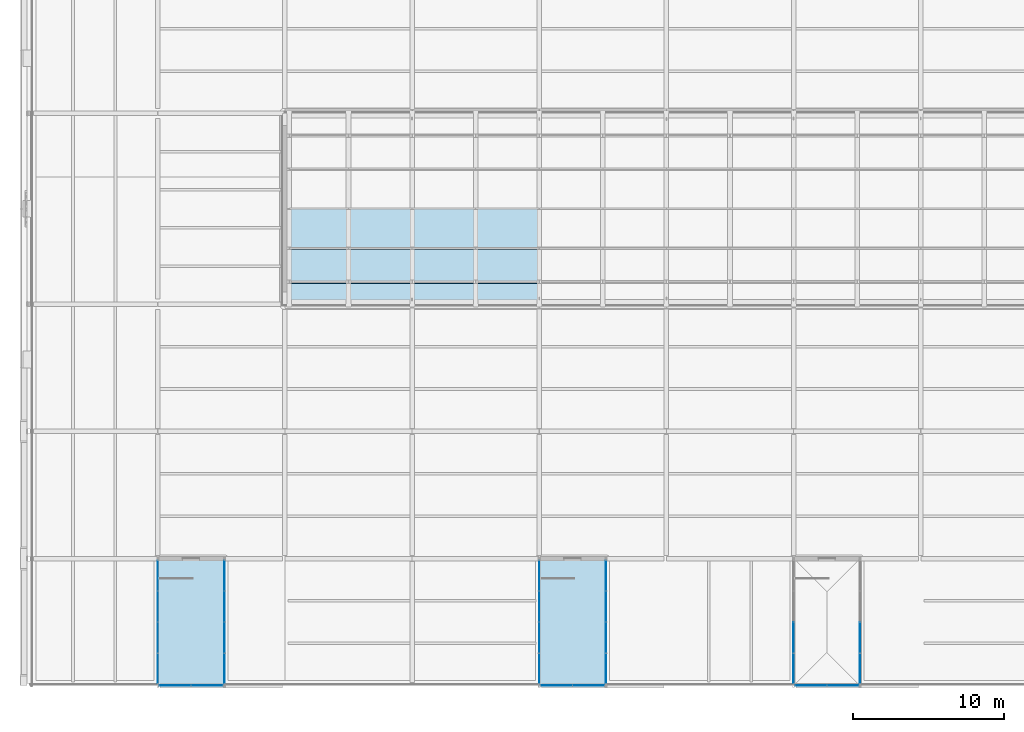
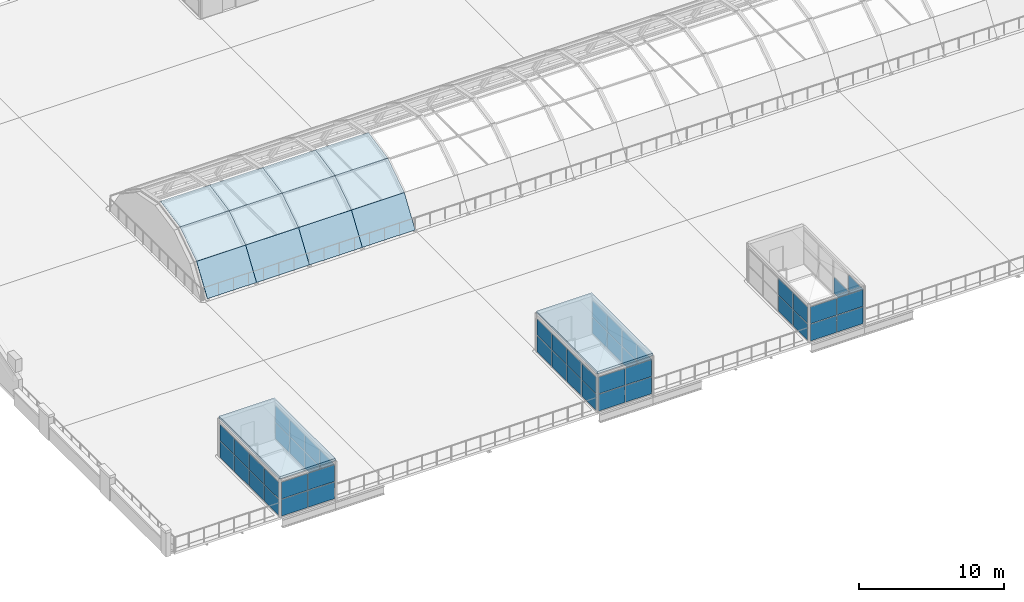
# One storey, part 33 of 58: 63 plates, 2 slabs, 9 elements without a shape of their own.
"""IFC4 building model written with IfcOpenShell, lengths in metres."""

from ifc_helpers import new_model, si_unit, direction, frame, origin, origin_2d, place, context, subcontext, project, spatial, polyline, rectangle, outline, extrude, material, layer, layer_set, type_object, element, aggregate, save


model = new_model("IFC4")

# Units and contexts
model_context = context("Model", 3, precision=1e-05, world=origin(), true_north=direction((0.0, 1.0)))
body_context = subcontext(model_context, "Body", "Model", "MODEL_VIEW")
ifc_project = project(units=[si_unit("LENGTHUNIT", "METRE"), si_unit("AREAUNIT", "SQUARE_METRE"), si_unit("VOLUMEUNIT", "CUBIC_METRE"), si_unit("PLANEANGLEUNIT", "RADIAN"), si_unit("MASSUNIT", "GRAM", prefix="KILO")], contexts=[model_context])

# Site, building, storey
site_placement = place(None, origin())
site = spatial("IfcSite", under=ifc_project, at=site_placement, CompositionType="ELEMENT")
building_placement = place(site_placement, origin())
building = spatial("IfcBuilding", under=site, at=building_placement, Name="Galleria Vessillo Department Store", CompositionType="ELEMENT")
storey_placement = place(building_placement, frame((0.0, 0.0, 31.199951171875)))
storey = spatial("IfcBuildingStorey", under=building, at=storey_placement, Name="L06", CompositionType="ELEMENT", Elevation=31.199951171875)

# Curtain wall, plates
ifc_material_1 = material(Name="Aluminium and glass curtain wall", Category="aluminium")
ifc_layer_1 = layer(ifc_material_1, 0.10009765625)
ifc_layer_set_1 = layer_set([ifc_layer_1], Name="Aluminium and glass curtain wall")
curtain_wall_type = type_object("IfcCurtainWallType", Name="Pavilion curtain wall CW5 2100 module", PredefinedType="NOTDEFINED", material=ifc_layer_set_1)
curtain_wall_1_placement = place(storey_placement, origin())
curtain_wall_1 = element("IfcCurtainWall", 1, at=curtain_wall_1_placement, inside=storey, type_object=curtain_wall_type, Name="Pavilion curtain wall CW5 2100 module PV-ST1-A", PredefinedType="NOTDEFINED")
ifc_material_2 = material(Name="Glass laminated 44.2 low-e", Category="glass")
ifc_layer_2 = layer(ifc_material_2, 0.028076171875)
ifc_layer_set_2 = layer_set([ifc_layer_2], Name="Glass laminated 44.2 low-e")
plate_type_1 = type_object("IfcPlateType", Name="Laminated glass panel 28 mm", PredefinedType="CURTAIN_PANEL", material=ifc_layer_set_2)
plate_1_placement = place(storey_placement, frame((8.39990234375, 1.137451171875, 0.0498046875), z_axis=(0.0, 0.0, 1.0), x_axis=(0.0, 1.0, 0.0)))
plate_1 = element("IfcPlate", 2, at=plate_1_placement, type_object=plate_type_1, Name="CW5 panel 1.1", PredefinedType="CURTAIN_PANEL", context=body_context, shape_type="SweptSolid", body=[
    extrude(rectangle(XDim=1.97509765625, YDim=0.028076171875, at=origin_2d()), origin(), (0.0, 0.0, 1.0), 1.360107421875),
])
plate_2_placement = place(storey_placement, frame((8.39990234375, 1.137451171875, 1.4599609375), z_axis=(0.0, 0.0, 1.0), x_axis=(0.0, 1.0, 0.0)))
plate_2 = element("IfcPlate", 3, at=plate_2_placement, type_object=plate_type_1, Name="CW5 panel 1.2", PredefinedType="CURTAIN_PANEL", context=body_context, shape_type="SweptSolid", body=[
    extrude(rectangle(XDim=1.97509765625, YDim=0.028076171875, at=origin_2d()), origin(), (0.0, 0.0, 1.0), 1.360107421875),
])
plate_3_placement = place(storey_placement, frame((8.39990234375, 3.175048828125, 0.0498046875), z_axis=(0.0, 0.0, 1.0), x_axis=(0.0, 1.0, 0.0)))
plate_3 = element("IfcPlate", 4, at=plate_3_placement, type_object=plate_type_1, Name="CW5 panel 2.1", PredefinedType="CURTAIN_PANEL", context=body_context, shape_type="SweptSolid", body=[
    extrude(rectangle(XDim=2.0, YDim=0.028076171875, at=origin_2d()), origin(), (0.0, 0.0, 1.0), 1.360107421875),
])
plate_4_placement = place(storey_placement, frame((8.39990234375, 3.175048828125, 1.4599609375), z_axis=(0.0, 0.0, 1.0), x_axis=(0.0, 1.0, 0.0)))
plate_4 = element("IfcPlate", 5, at=plate_4_placement, type_object=plate_type_1, Name="CW5 panel 2.2", PredefinedType="CURTAIN_PANEL", context=body_context, shape_type="SweptSolid", body=[
    extrude(rectangle(XDim=2.0, YDim=0.028076171875, at=origin_2d()), origin(), (0.0, 0.0, 1.0), 1.360107421875),
])
plate_5_placement = place(storey_placement, frame((8.39990234375, 5.224853515625, 0.0498046875), z_axis=(0.0, 0.0, 1.0), x_axis=(0.0, 1.0, 0.0)))
plate_5 = element("IfcPlate", 6, at=plate_5_placement, type_object=plate_type_1, Name="CW5 panel 3.1", PredefinedType="CURTAIN_PANEL", context=body_context, shape_type="SweptSolid", body=[
    extrude(rectangle(XDim=2.0, YDim=0.028076171875, at=origin_2d()), origin(), (0.0, 0.0, 1.0), 1.360107421875),
])
plate_6_placement = place(storey_placement, frame((8.39990234375, 5.224853515625, 1.4599609375), z_axis=(0.0, 0.0, 1.0), x_axis=(0.0, 1.0, 0.0)))
plate_6 = element("IfcPlate", 7, at=plate_6_placement, type_object=plate_type_1, Name="CW5 panel 3.2", PredefinedType="CURTAIN_PANEL", context=body_context, shape_type="SweptSolid", body=[
    extrude(rectangle(XDim=2.0, YDim=0.028076171875, at=origin_2d()), origin(), (0.0, 0.0, 1.0), 1.360107421875),
])
plate_7_placement = place(storey_placement, frame((8.39990234375, 7.262451171875, 0.0498046875), z_axis=(0.0, 0.0, 1.0), x_axis=(0.0, 1.0, 0.0)))
plate_7 = element("IfcPlate", 8, at=plate_7_placement, type_object=plate_type_1, Name="CW5 panel 4.1", PredefinedType="CURTAIN_PANEL", context=body_context, shape_type="SweptSolid", body=[
    extrude(rectangle(XDim=1.97509765625, YDim=0.028076171875, at=origin_2d()), origin(), (0.0, 0.0, 1.0), 1.360107421875),
])
plate_8_placement = place(storey_placement, frame((8.39990234375, 7.262451171875, 1.4599609375), z_axis=(0.0, 0.0, 1.0), x_axis=(0.0, 1.0, 0.0)))
plate_8 = element("IfcPlate", 9, at=plate_8_placement, type_object=plate_type_1, Name="CW5 panel 4.2", PredefinedType="CURTAIN_PANEL", context=body_context, shape_type="SweptSolid", body=[
    extrude(rectangle(XDim=1.97509765625, YDim=0.028076171875, at=origin_2d()), origin(), (0.0, 0.0, 1.0), 1.360107421875),
])
aggregate(curtain_wall_1, [plate_1, plate_2, plate_3, plate_4, plate_5, plate_6, plate_7, plate_8])

curtain_wall_2_placement = place(storey_placement, origin())
curtain_wall_2 = element("IfcCurtainWall", 10, at=curtain_wall_2_placement, inside=storey, type_object=curtain_wall_type, Name="Pavilion curtain wall CW5 2100 module PV-ST1-B", PredefinedType="NOTDEFINED")
plate_9_placement = place(storey_placement, frame((12.800048828125, 1.137451171875, 0.0498046875), z_axis=(0.0, 0.0, 1.0), x_axis=(0.0, 1.0, 0.0)))
plate_9 = element("IfcPlate", 11, at=plate_9_placement, type_object=plate_type_1, Name="CW5 panel 1.1", PredefinedType="CURTAIN_PANEL", context=body_context, shape_type="SweptSolid", body=[
    extrude(rectangle(XDim=1.97509765625, YDim=0.028076171875, at=origin_2d()), origin(), (0.0, 0.0, 1.0), 1.360107421875),
])
plate_10_placement = place(storey_placement, frame((12.800048828125, 1.137451171875, 1.4599609375), z_axis=(0.0, 0.0, 1.0), x_axis=(0.0, 1.0, 0.0)))
plate_10 = element("IfcPlate", 12, at=plate_10_placement, type_object=plate_type_1, Name="CW5 panel 1.2", PredefinedType="CURTAIN_PANEL", context=body_context, shape_type="SweptSolid", body=[
    extrude(rectangle(XDim=1.97509765625, YDim=0.028076171875, at=origin_2d()), origin(), (0.0, 0.0, 1.0), 1.360107421875),
])
plate_11_placement = place(storey_placement, frame((12.800048828125, 3.175048828125, 0.0498046875), z_axis=(0.0, 0.0, 1.0), x_axis=(0.0, 1.0, 0.0)))
plate_11 = element("IfcPlate", 13, at=plate_11_placement, type_object=plate_type_1, Name="CW5 panel 2.1", PredefinedType="CURTAIN_PANEL", context=body_context, shape_type="SweptSolid", body=[
    extrude(rectangle(XDim=2.0, YDim=0.028076171875, at=origin_2d()), origin(), (0.0, 0.0, 1.0), 1.360107421875),
])
plate_12_placement = place(storey_placement, frame((12.800048828125, 3.175048828125, 1.4599609375), z_axis=(0.0, 0.0, 1.0), x_axis=(0.0, 1.0, 0.0)))
plate_12 = element("IfcPlate", 14, at=plate_12_placement, type_object=plate_type_1, Name="CW5 panel 2.2", PredefinedType="CURTAIN_PANEL", context=body_context, shape_type="SweptSolid", body=[
    extrude(rectangle(XDim=2.0, YDim=0.028076171875, at=origin_2d()), origin(), (0.0, 0.0, 1.0), 1.360107421875),
])
plate_13_placement = place(storey_placement, frame((12.800048828125, 5.224853515625, 0.0498046875), z_axis=(0.0, 0.0, 1.0), x_axis=(0.0, 1.0, 0.0)))
plate_13 = element("IfcPlate", 15, at=plate_13_placement, type_object=plate_type_1, Name="CW5 panel 3.1", PredefinedType="CURTAIN_PANEL", context=body_context, shape_type="SweptSolid", body=[
    extrude(rectangle(XDim=2.0, YDim=0.028076171875, at=origin_2d()), origin(), (0.0, 0.0, 1.0), 1.360107421875),
])
plate_14_placement = place(storey_placement, frame((12.800048828125, 5.224853515625, 1.4599609375), z_axis=(0.0, 0.0, 1.0), x_axis=(0.0, 1.0, 0.0)))
plate_14 = element("IfcPlate", 16, at=plate_14_placement, type_object=plate_type_1, Name="CW5 panel 3.2", PredefinedType="CURTAIN_PANEL", context=body_context, shape_type="SweptSolid", body=[
    extrude(rectangle(XDim=2.0, YDim=0.028076171875, at=origin_2d()), origin(), (0.0, 0.0, 1.0), 1.360107421875),
])
plate_15_placement = place(storey_placement, frame((12.800048828125, 7.262451171875, 0.0498046875), z_axis=(0.0, 0.0, 1.0), x_axis=(0.0, 1.0, 0.0)))
plate_15 = element("IfcPlate", 17, at=plate_15_placement, type_object=plate_type_1, Name="CW5 panel 4.1", PredefinedType="CURTAIN_PANEL", context=body_context, shape_type="SweptSolid", body=[
    extrude(rectangle(XDim=1.97509765625, YDim=0.028076171875, at=origin_2d()), origin(), (0.0, 0.0, 1.0), 1.360107421875),
])
plate_16_placement = place(storey_placement, frame((12.800048828125, 7.262451171875, 1.4599609375), z_axis=(0.0, 0.0, 1.0), x_axis=(0.0, 1.0, 0.0)))
plate_16 = element("IfcPlate", 18, at=plate_16_placement, type_object=plate_type_1, Name="CW5 panel 4.2", PredefinedType="CURTAIN_PANEL", context=body_context, shape_type="SweptSolid", body=[
    extrude(rectangle(XDim=1.97509765625, YDim=0.028076171875, at=origin_2d()), origin(), (0.0, 0.0, 1.0), 1.360107421875),
])
aggregate(curtain_wall_2, [plate_9, plate_10, plate_11, plate_12, plate_13, plate_14, plate_15, plate_16])

curtain_wall_3_placement = place(storey_placement, origin())
curtain_wall_3 = element("IfcCurtainWall", 19, at=curtain_wall_3_placement, inside=storey, type_object=curtain_wall_type, Name="Pavilion curtain wall CW5 2100 module PV-ST1-F", PredefinedType="NOTDEFINED")
plate_17_placement = place(storey_placement, frame((9.537353515625, 0.0, 0.05029296875), z_axis=(0.0, 0.0, 1.0), x_axis=(1.0, 0.0, 0.0)))
plate_17 = element("IfcPlate", 20, at=plate_17_placement, type_object=plate_type_1, Name="CW5 panel 1.1", PredefinedType="CURTAIN_PANEL", context=body_context, shape_type="SweptSolid", body=[
    extrude(rectangle(XDim=2.074951171875, YDim=0.028076171875, at=origin_2d()), origin(), (0.0, 0.0, 1.0), 1.405029296875),
])
plate_18_placement = place(storey_placement, frame((9.537353515625, 0.0, 1.50537109375), z_axis=(0.0, 0.0, 1.0), x_axis=(1.0, 0.0, 0.0)))
plate_18 = element("IfcPlate", 21, at=plate_18_placement, type_object=plate_type_1, Name="CW5 panel 1.2", PredefinedType="CURTAIN_PANEL", context=body_context, shape_type="SweptSolid", body=[
    extrude(rectangle(XDim=2.074951171875, YDim=0.028076171875, at=origin_2d()), origin(), (0.0, 0.0, 1.0), 1.405029296875),
])
plate_19_placement = place(storey_placement, frame((11.66259765625, 0.0, 0.05029296875), z_axis=(0.0, 0.0, 1.0), x_axis=(1.0, 0.0, 0.0)))
plate_19 = element("IfcPlate", 22, at=plate_19_placement, type_object=plate_type_1, Name="CW5 panel 2.1", PredefinedType="CURTAIN_PANEL", context=body_context, shape_type="SweptSolid", body=[
    extrude(rectangle(XDim=2.074951171875, YDim=0.028076171875, at=origin_2d()), origin(), (0.0, 0.0, 1.0), 1.405029296875),
])
plate_20_placement = place(storey_placement, frame((11.66259765625, 0.0, 1.50537109375), z_axis=(0.0, 0.0, 1.0), x_axis=(1.0, 0.0, 0.0)))
plate_20 = element("IfcPlate", 23, at=plate_20_placement, type_object=plate_type_1, Name="CW5 panel 2.2", PredefinedType="CURTAIN_PANEL", context=body_context, shape_type="SweptSolid", body=[
    extrude(rectangle(XDim=2.074951171875, YDim=0.028076171875, at=origin_2d()), origin(), (0.0, 0.0, 1.0), 1.405029296875),
])
aggregate(curtain_wall_3, [plate_17, plate_18, plate_19, plate_20])

curtain_wall_4_placement = place(storey_placement, origin())
curtain_wall_4 = element("IfcCurtainWall", 24, at=curtain_wall_4_placement, inside=storey, type_object=curtain_wall_type, Name="Pavilion curtain wall CW5 2100 module PV-ST3-A", PredefinedType="NOTDEFINED")
plate_21_placement = place(storey_placement, frame((33.60009765625, 1.137451171875, 0.0498046875), z_axis=(0.0, 0.0, 1.0), x_axis=(0.0, 1.0, 0.0)))
plate_21 = element("IfcPlate", 25, at=plate_21_placement, type_object=plate_type_1, Name="CW5 panel 1.1", PredefinedType="CURTAIN_PANEL", context=body_context, shape_type="SweptSolid", body=[
    extrude(rectangle(XDim=1.97509765625, YDim=0.028076171875, at=origin_2d()), origin(), (0.0, 0.0, 1.0), 1.360107421875),
])
plate_22_placement = place(storey_placement, frame((33.60009765625, 1.137451171875, 1.4599609375), z_axis=(0.0, 0.0, 1.0), x_axis=(0.0, 1.0, 0.0)))
plate_22 = element("IfcPlate", 26, at=plate_22_placement, type_object=plate_type_1, Name="CW5 panel 1.2", PredefinedType="CURTAIN_PANEL", context=body_context, shape_type="SweptSolid", body=[
    extrude(rectangle(XDim=1.97509765625, YDim=0.028076171875, at=origin_2d()), origin(), (0.0, 0.0, 1.0), 1.360107421875),
])
plate_23_placement = place(storey_placement, frame((33.60009765625, 3.175048828125, 0.0498046875), z_axis=(0.0, 0.0, 1.0), x_axis=(0.0, 1.0, 0.0)))
plate_23 = element("IfcPlate", 27, at=plate_23_placement, type_object=plate_type_1, Name="CW5 panel 2.1", PredefinedType="CURTAIN_PANEL", context=body_context, shape_type="SweptSolid", body=[
    extrude(rectangle(XDim=2.0, YDim=0.028076171875, at=origin_2d()), origin(), (0.0, 0.0, 1.0), 1.360107421875),
])
plate_24_placement = place(storey_placement, frame((33.60009765625, 3.175048828125, 1.4599609375), z_axis=(0.0, 0.0, 1.0), x_axis=(0.0, 1.0, 0.0)))
plate_24 = element("IfcPlate", 28, at=plate_24_placement, type_object=plate_type_1, Name="CW5 panel 2.2", PredefinedType="CURTAIN_PANEL", context=body_context, shape_type="SweptSolid", body=[
    extrude(rectangle(XDim=2.0, YDim=0.028076171875, at=origin_2d()), origin(), (0.0, 0.0, 1.0), 1.360107421875),
])
plate_25_placement = place(storey_placement, frame((33.60009765625, 5.224853515625, 0.0498046875), z_axis=(0.0, 0.0, 1.0), x_axis=(0.0, 1.0, 0.0)))
plate_25 = element("IfcPlate", 29, at=plate_25_placement, type_object=plate_type_1, Name="CW5 panel 3.1", PredefinedType="CURTAIN_PANEL", context=body_context, shape_type="SweptSolid", body=[
    extrude(rectangle(XDim=2.0, YDim=0.028076171875, at=origin_2d()), origin(), (0.0, 0.0, 1.0), 1.360107421875),
])
plate_26_placement = place(storey_placement, frame((33.60009765625, 5.224853515625, 1.4599609375), z_axis=(0.0, 0.0, 1.0), x_axis=(0.0, 1.0, 0.0)))
plate_26 = element("IfcPlate", 30, at=plate_26_placement, type_object=plate_type_1, Name="CW5 panel 3.2", PredefinedType="CURTAIN_PANEL", context=body_context, shape_type="SweptSolid", body=[
    extrude(rectangle(XDim=2.0, YDim=0.028076171875, at=origin_2d()), origin(), (0.0, 0.0, 1.0), 1.360107421875),
])
plate_27_placement = place(storey_placement, frame((33.60009765625, 7.262451171875, 0.0498046875), z_axis=(0.0, 0.0, 1.0), x_axis=(0.0, 1.0, 0.0)))
plate_27 = element("IfcPlate", 31, at=plate_27_placement, type_object=plate_type_1, Name="CW5 panel 4.1", PredefinedType="CURTAIN_PANEL", context=body_context, shape_type="SweptSolid", body=[
    extrude(rectangle(XDim=1.97509765625, YDim=0.028076171875, at=origin_2d()), origin(), (0.0, 0.0, 1.0), 1.360107421875),
])
plate_28_placement = place(storey_placement, frame((33.60009765625, 7.262451171875, 1.4599609375), z_axis=(0.0, 0.0, 1.0), x_axis=(0.0, 1.0, 0.0)))
plate_28 = element("IfcPlate", 32, at=plate_28_placement, type_object=plate_type_1, Name="CW5 panel 4.2", PredefinedType="CURTAIN_PANEL", context=body_context, shape_type="SweptSolid", body=[
    extrude(rectangle(XDim=1.97509765625, YDim=0.028076171875, at=origin_2d()), origin(), (0.0, 0.0, 1.0), 1.360107421875),
])
aggregate(curtain_wall_4, [plate_21, plate_22, plate_23, plate_24, plate_25, plate_26, plate_27, plate_28])

curtain_wall_5_placement = place(storey_placement, origin())
curtain_wall_5 = element("IfcCurtainWall", 33, at=curtain_wall_5_placement, inside=storey, type_object=curtain_wall_type, Name="Pavilion curtain wall CW5 2100 module PV-ST3-B", PredefinedType="NOTDEFINED")
plate_29_placement = place(storey_placement, frame((38.0, 1.137451171875, 0.0498046875), z_axis=(0.0, 0.0, 1.0), x_axis=(0.0, 1.0, 0.0)))
plate_29 = element("IfcPlate", 34, at=plate_29_placement, type_object=plate_type_1, Name="CW5 panel 1.1", PredefinedType="CURTAIN_PANEL", context=body_context, shape_type="SweptSolid", body=[
    extrude(rectangle(XDim=1.97509765625, YDim=0.028076171875, at=origin_2d()), origin(), (0.0, 0.0, 1.0), 1.360107421875),
])
plate_30_placement = place(storey_placement, frame((38.0, 1.137451171875, 1.4599609375), z_axis=(0.0, 0.0, 1.0), x_axis=(0.0, 1.0, 0.0)))
plate_30 = element("IfcPlate", 35, at=plate_30_placement, type_object=plate_type_1, Name="CW5 panel 1.2", PredefinedType="CURTAIN_PANEL", context=body_context, shape_type="SweptSolid", body=[
    extrude(rectangle(XDim=1.97509765625, YDim=0.028076171875, at=origin_2d()), origin(), (0.0, 0.0, 1.0), 1.360107421875),
])
plate_31_placement = place(storey_placement, frame((38.0, 3.175048828125, 0.0498046875), z_axis=(0.0, 0.0, 1.0), x_axis=(0.0, 1.0, 0.0)))
plate_31 = element("IfcPlate", 36, at=plate_31_placement, type_object=plate_type_1, Name="CW5 panel 2.1", PredefinedType="CURTAIN_PANEL", context=body_context, shape_type="SweptSolid", body=[
    extrude(rectangle(XDim=2.0, YDim=0.028076171875, at=origin_2d()), origin(), (0.0, 0.0, 1.0), 1.360107421875),
])
plate_32_placement = place(storey_placement, frame((38.0, 3.175048828125, 1.4599609375), z_axis=(0.0, 0.0, 1.0), x_axis=(0.0, 1.0, 0.0)))
plate_32 = element("IfcPlate", 37, at=plate_32_placement, type_object=plate_type_1, Name="CW5 panel 2.2", PredefinedType="CURTAIN_PANEL", context=body_context, shape_type="SweptSolid", body=[
    extrude(rectangle(XDim=2.0, YDim=0.028076171875, at=origin_2d()), origin(), (0.0, 0.0, 1.0), 1.360107421875),
])
plate_33_placement = place(storey_placement, frame((38.0, 5.224853515625, 0.0498046875), z_axis=(0.0, 0.0, 1.0), x_axis=(0.0, 1.0, 0.0)))
plate_33 = element("IfcPlate", 38, at=plate_33_placement, type_object=plate_type_1, Name="CW5 panel 3.1", PredefinedType="CURTAIN_PANEL", context=body_context, shape_type="SweptSolid", body=[
    extrude(rectangle(XDim=2.0, YDim=0.028076171875, at=origin_2d()), origin(), (0.0, 0.0, 1.0), 1.360107421875),
])
plate_34_placement = place(storey_placement, frame((38.0, 5.224853515625, 1.4599609375), z_axis=(0.0, 0.0, 1.0), x_axis=(0.0, 1.0, 0.0)))
plate_34 = element("IfcPlate", 39, at=plate_34_placement, type_object=plate_type_1, Name="CW5 panel 3.2", PredefinedType="CURTAIN_PANEL", context=body_context, shape_type="SweptSolid", body=[
    extrude(rectangle(XDim=2.0, YDim=0.028076171875, at=origin_2d()), origin(), (0.0, 0.0, 1.0), 1.360107421875),
])
plate_35_placement = place(storey_placement, frame((38.0, 7.262451171875, 0.0498046875), z_axis=(0.0, 0.0, 1.0), x_axis=(0.0, 1.0, 0.0)))
plate_35 = element("IfcPlate", 40, at=plate_35_placement, type_object=plate_type_1, Name="CW5 panel 4.1", PredefinedType="CURTAIN_PANEL", context=body_context, shape_type="SweptSolid", body=[
    extrude(rectangle(XDim=1.97509765625, YDim=0.028076171875, at=origin_2d()), origin(), (0.0, 0.0, 1.0), 1.360107421875),
])
plate_36_placement = place(storey_placement, frame((38.0, 7.262451171875, 1.4599609375), z_axis=(0.0, 0.0, 1.0), x_axis=(0.0, 1.0, 0.0)))
plate_36 = element("IfcPlate", 41, at=plate_36_placement, type_object=plate_type_1, Name="CW5 panel 4.2", PredefinedType="CURTAIN_PANEL", context=body_context, shape_type="SweptSolid", body=[
    extrude(rectangle(XDim=1.97509765625, YDim=0.028076171875, at=origin_2d()), origin(), (0.0, 0.0, 1.0), 1.360107421875),
])
aggregate(curtain_wall_5, [plate_29, plate_30, plate_31, plate_32, plate_33, plate_34, plate_35, plate_36])

curtain_wall_6_placement = place(storey_placement, origin())
curtain_wall_6 = element("IfcCurtainWall", 42, at=curtain_wall_6_placement, inside=storey, type_object=curtain_wall_type, Name="Pavilion curtain wall CW5 2100 module PV-ST3-F", PredefinedType="NOTDEFINED")
plate_37_placement = place(storey_placement, frame((34.737548828125, 0.0, 0.05029296875), z_axis=(0.0, 0.0, 1.0), x_axis=(1.0, 0.0, 0.0)))
plate_37 = element("IfcPlate", 43, at=plate_37_placement, type_object=plate_type_1, Name="CW5 panel 1.1", PredefinedType="CURTAIN_PANEL", context=body_context, shape_type="SweptSolid", body=[
    extrude(rectangle(XDim=2.074951171875, YDim=0.028076171875, at=origin_2d()), origin(), (0.0, 0.0, 1.0), 1.405029296875),
])
plate_38_placement = place(storey_placement, frame((34.737548828125, 0.0, 1.50537109375), z_axis=(0.0, 0.0, 1.0), x_axis=(1.0, 0.0, 0.0)))
plate_38 = element("IfcPlate", 44, at=plate_38_placement, type_object=plate_type_1, Name="CW5 panel 1.2", PredefinedType="CURTAIN_PANEL", context=body_context, shape_type="SweptSolid", body=[
    extrude(rectangle(XDim=2.074951171875, YDim=0.028076171875, at=origin_2d()), origin(), (0.0, 0.0, 1.0), 1.405029296875),
])
plate_39_placement = place(storey_placement, frame((36.862548828125, 0.0, 0.05029296875), z_axis=(0.0, 0.0, 1.0), x_axis=(1.0, 0.0, 0.0)))
plate_39 = element("IfcPlate", 45, at=plate_39_placement, type_object=plate_type_1, Name="CW5 panel 2.1", PredefinedType="CURTAIN_PANEL", context=body_context, shape_type="SweptSolid", body=[
    extrude(rectangle(XDim=2.074951171875, YDim=0.028076171875, at=origin_2d()), origin(), (0.0, 0.0, 1.0), 1.405029296875),
])
plate_40_placement = place(storey_placement, frame((36.862548828125, 0.0, 1.50537109375), z_axis=(0.0, 0.0, 1.0), x_axis=(1.0, 0.0, 0.0)))
plate_40 = element("IfcPlate", 46, at=plate_40_placement, type_object=plate_type_1, Name="CW5 panel 2.2", PredefinedType="CURTAIN_PANEL", context=body_context, shape_type="SweptSolid", body=[
    extrude(rectangle(XDim=2.074951171875, YDim=0.028076171875, at=origin_2d()), origin(), (0.0, 0.0, 1.0), 1.405029296875),
])
aggregate(curtain_wall_6, [plate_37, plate_38, plate_39, plate_40])

curtain_wall_7_placement = place(storey_placement, origin())
curtain_wall_7 = element("IfcCurtainWall", 47, at=curtain_wall_7_placement, inside=storey, type_object=curtain_wall_type, Name="Pavilion curtain wall CW5 2100 module PV-ST10-A", PredefinedType="NOTDEFINED")
plate_41_placement = place(storey_placement, frame((50.39990234375, 1.137451171875, 0.0498046875), z_axis=(0.0, 0.0, 1.0), x_axis=(0.0, 1.0, 0.0)))
plate_41 = element("IfcPlate", 48, at=plate_41_placement, type_object=plate_type_1, Name="CW5 panel 1.1", PredefinedType="CURTAIN_PANEL", context=body_context, shape_type="SweptSolid", body=[
    extrude(rectangle(XDim=1.97509765625, YDim=0.028076171875, at=origin_2d()), origin(), (0.0, 0.0, 1.0), 1.360107421875),
])
plate_42_placement = place(storey_placement, frame((50.39990234375, 1.137451171875, 1.4599609375), z_axis=(0.0, 0.0, 1.0), x_axis=(0.0, 1.0, 0.0)))
plate_42 = element("IfcPlate", 49, at=plate_42_placement, type_object=plate_type_1, Name="CW5 panel 1.2", PredefinedType="CURTAIN_PANEL", context=body_context, shape_type="SweptSolid", body=[
    extrude(rectangle(XDim=1.97509765625, YDim=0.028076171875, at=origin_2d()), origin(), (0.0, 0.0, 1.0), 1.360107421875),
])
plate_43_placement = place(storey_placement, frame((50.39990234375, 3.175048828125, 0.0498046875), z_axis=(0.0, 0.0, 1.0), x_axis=(0.0, 1.0, 0.0)))
plate_43 = element("IfcPlate", 50, at=plate_43_placement, type_object=plate_type_1, Name="CW5 panel 2.1", PredefinedType="CURTAIN_PANEL", context=body_context, shape_type="SweptSolid", body=[
    extrude(rectangle(XDim=2.0, YDim=0.028076171875, at=origin_2d()), origin(), (0.0, 0.0, 1.0), 1.360107421875),
])
plate_44_placement = place(storey_placement, frame((50.39990234375, 3.175048828125, 1.4599609375), z_axis=(0.0, 0.0, 1.0), x_axis=(0.0, 1.0, 0.0)))
plate_44 = element("IfcPlate", 51, at=plate_44_placement, type_object=plate_type_1, Name="CW5 panel 2.2", PredefinedType="CURTAIN_PANEL", context=body_context, shape_type="SweptSolid", body=[
    extrude(rectangle(XDim=2.0, YDim=0.028076171875, at=origin_2d()), origin(), (0.0, 0.0, 1.0), 1.360107421875),
])
aggregate(curtain_wall_7, [plate_41, plate_42, plate_43, plate_44])

curtain_wall_8_placement = place(storey_placement, origin())
curtain_wall_8 = element("IfcCurtainWall", 52, at=curtain_wall_8_placement, inside=storey, type_object=curtain_wall_type, Name="Pavilion curtain wall CW5 2100 module PV-ST10-B", PredefinedType="NOTDEFINED")
plate_45_placement = place(storey_placement, frame((54.800048828125, 1.137451171875, 0.0498046875), z_axis=(0.0, 0.0, 1.0), x_axis=(0.0, 1.0, 0.0)))
plate_45 = element("IfcPlate", 53, at=plate_45_placement, type_object=plate_type_1, Name="CW5 panel 1.1", PredefinedType="CURTAIN_PANEL", context=body_context, shape_type="SweptSolid", body=[
    extrude(rectangle(XDim=1.97509765625, YDim=0.028076171875, at=origin_2d()), origin(), (0.0, 0.0, 1.0), 1.360107421875),
])
plate_46_placement = place(storey_placement, frame((54.800048828125, 1.137451171875, 1.4599609375), z_axis=(0.0, 0.0, 1.0), x_axis=(0.0, 1.0, 0.0)))
plate_46 = element("IfcPlate", 54, at=plate_46_placement, type_object=plate_type_1, Name="CW5 panel 1.2", PredefinedType="CURTAIN_PANEL", context=body_context, shape_type="SweptSolid", body=[
    extrude(rectangle(XDim=1.97509765625, YDim=0.028076171875, at=origin_2d()), origin(), (0.0, 0.0, 1.0), 1.360107421875),
])
plate_47_placement = place(storey_placement, frame((54.800048828125, 3.175048828125, 0.0498046875), z_axis=(0.0, 0.0, 1.0), x_axis=(0.0, 1.0, 0.0)))
plate_47 = element("IfcPlate", 55, at=plate_47_placement, type_object=plate_type_1, Name="CW5 panel 2.1", PredefinedType="CURTAIN_PANEL", context=body_context, shape_type="SweptSolid", body=[
    extrude(rectangle(XDim=2.0, YDim=0.028076171875, at=origin_2d()), origin(), (0.0, 0.0, 1.0), 1.360107421875),
])
aggregate(curtain_wall_8, [plate_45, plate_46, plate_47])

curtain_wall_9_placement = place(storey_placement, origin())
curtain_wall_9 = element("IfcCurtainWall", 56, at=curtain_wall_9_placement, inside=storey, type_object=curtain_wall_type, Name="Pavilion curtain wall CW5 2100 module PV-ST10-F", PredefinedType="NOTDEFINED")
plate_48_placement = place(storey_placement, frame((51.537353515625, 0.0, 0.05029296875), z_axis=(0.0, 0.0, 1.0), x_axis=(1.0, 0.0, 0.0)))
plate_48 = element("IfcPlate", 57, at=plate_48_placement, type_object=plate_type_1, Name="CW5 panel 1.1", PredefinedType="CURTAIN_PANEL", context=body_context, shape_type="SweptSolid", body=[
    extrude(rectangle(XDim=2.074951171875, YDim=0.028076171875, at=origin_2d()), origin(), (0.0, 0.0, 1.0), 1.405029296875),
])
plate_49_placement = place(storey_placement, frame((51.537353515625, 0.0, 1.50537109375), z_axis=(0.0, 0.0, 1.0), x_axis=(1.0, 0.0, 0.0)))
plate_49 = element("IfcPlate", 58, at=plate_49_placement, type_object=plate_type_1, Name="CW5 panel 1.2", PredefinedType="CURTAIN_PANEL", context=body_context, shape_type="SweptSolid", body=[
    extrude(rectangle(XDim=2.074951171875, YDim=0.028076171875, at=origin_2d()), origin(), (0.0, 0.0, 1.0), 1.405029296875),
])
plate_50_placement = place(storey_placement, frame((53.66259765625, 0.0, 0.05029296875), z_axis=(0.0, 0.0, 1.0), x_axis=(1.0, 0.0, 0.0)))
plate_50 = element("IfcPlate", 59, at=plate_50_placement, type_object=plate_type_1, Name="CW5 panel 2.1", PredefinedType="CURTAIN_PANEL", context=body_context, shape_type="SweptSolid", body=[
    extrude(rectangle(XDim=2.074951171875, YDim=0.028076171875, at=origin_2d()), origin(), (0.0, 0.0, 1.0), 1.405029296875),
])
plate_51_placement = place(storey_placement, frame((53.66259765625, 0.0, 1.50537109375), z_axis=(0.0, 0.0, 1.0), x_axis=(1.0, 0.0, 0.0)))
plate_51 = element("IfcPlate", 60, at=plate_51_placement, type_object=plate_type_1, Name="CW5 panel 2.2", PredefinedType="CURTAIN_PANEL", context=body_context, shape_type="SweptSolid", body=[
    extrude(rectangle(XDim=2.074951171875, YDim=0.028076171875, at=origin_2d()), origin(), (0.0, 0.0, 1.0), 1.405029296875),
])
aggregate(curtain_wall_9, [plate_48, plate_49, plate_50, plate_51])

# Plates
ifc_material_3 = material(Name="Glass laminated 44.2 low-e", Category="glass")
ifc_layer_3 = layer(ifc_material_3, 0.030029296875)
ifc_layer_set_3 = layer_set([ifc_layer_3], Name="Glass laminated 44.2 low-e")
plate_type_2 = type_object("IfcPlateType", Name="Laminated vault glazing panel 30 mm", PredefinedType="SHEET", material=ifc_layer_set_3)
plate_52_placement = place(storey_placement, frame((17.10009765625, 25.0546875, 0.097412109375), z_axis=(0.0, -0.830525222922, 0.556981017711), x_axis=(1.0, 0.0, 0.0)))
element("IfcPlate", 61, at=plate_52_placement, inside=storey, type_object=plate_type_2, Name="Vault glazing panel 1.1", PredefinedType="SHEET", context=body_context, shape_type="SweptSolid", body=[
    extrude(outline(polyline([(0.0, 0.0), (3.89990234375, 0.0), (3.89990234375, 2.690021684729376), (0.0, 2.690021684729376), (0.0, 0.0)])), origin(), (0.0, 0.0, -1.0), 0.030029296875),
])
plate_53_placement = place(storey_placement, frame((17.10009765625, 26.55712890625, 2.335693359375), z_axis=(0.0, -0.554720893307, 0.832036495911), x_axis=(1.0, 0.0, 0.0)))
element("IfcPlate", 62, at=plate_53_placement, inside=storey, type_object=plate_type_2, Name="Vault glazing panel 1.2", PredefinedType="SHEET", context=body_context, shape_type="SweptSolid", body=[
    extrude(outline(polyline([(0.0, 0.0), (3.89990234375, 0.0), (3.89990234375, 2.722107250408877), (0.0, 2.722107250408877), (0.0, 0.0)])), origin(), (0.0, 0.0, -1.0), 0.030029296875),
])
plate_54_placement = place(storey_placement, frame((17.10009765625, 28.827392578125, 3.847900390625), z_axis=(0.0, -0.194649660912, 0.980872830446), x_axis=(1.0, 0.0, 0.0)))
element("IfcPlate", 63, at=plate_54_placement, inside=storey, type_object=plate_type_2, Name="Vault glazing panel 1.3", PredefinedType="SHEET", context=body_context, shape_type="SweptSolid", body=[
    extrude(outline(polyline([(0.0, 0.0), (3.89990234375, 0.0), (3.89990234375, 2.7217368567149305), (0.0, 2.7217368567149305), (0.0, 0.0)])), origin(), (0.0, 0.0, -1.0), 0.030029296875),
])
plate_55_placement = place(storey_placement, frame((21.0, 25.0546875, 0.097412109375), z_axis=(0.0, -0.830525222922, 0.556981017711), x_axis=(1.0, 0.0, 0.0)))
element("IfcPlate", 64, at=plate_55_placement, inside=storey, type_object=plate_type_2, Name="Vault glazing panel 2.1", PredefinedType="SHEET", context=body_context, shape_type="SweptSolid", body=[
    extrude(outline(polyline([(0.0, 0.0), (4.199951171875, 0.0), (4.199951171875, 2.690021684729376), (0.0, 2.690021684729376), (0.0, 0.0)])), origin(), (0.0, 0.0, -1.0), 0.030029296875),
])
plate_56_placement = place(storey_placement, frame((21.0, 26.55712890625, 2.335693359375), z_axis=(0.0, -0.554720893307, 0.832036495911), x_axis=(1.0, 0.0, 0.0)))
element("IfcPlate", 65, at=plate_56_placement, inside=storey, type_object=plate_type_2, Name="Vault glazing panel 2.2", PredefinedType="SHEET", context=body_context, shape_type="SweptSolid", body=[
    extrude(outline(polyline([(0.0, 0.0), (4.199951171875, 0.0), (4.199951171875, 2.722107250408877), (0.0, 2.722107250408877), (0.0, 0.0)])), origin(), (0.0, 0.0, -1.0), 0.030029296875),
])
plate_57_placement = place(storey_placement, frame((21.0, 28.827392578125, 3.847900390625), z_axis=(0.0, -0.194649660912, 0.980872830446), x_axis=(1.0, 0.0, 0.0)))
element("IfcPlate", 66, at=plate_57_placement, inside=storey, type_object=plate_type_2, Name="Vault glazing panel 2.3", PredefinedType="SHEET", context=body_context, shape_type="SweptSolid", body=[
    extrude(outline(polyline([(0.0, 0.0), (4.199951171875, 0.0), (4.199951171875, 2.7217368567149305), (0.0, 2.7217368567149305), (0.0, 0.0)])), origin(), (0.0, 0.0, -1.0), 0.030029296875),
])
plate_58_placement = place(storey_placement, frame((25.199951171875, 25.0546875, 0.097412109375), z_axis=(0.0, -0.830525222922, 0.556981017711), x_axis=(1.0, 0.0, 0.0)))
element("IfcPlate", 67, at=plate_58_placement, inside=storey, type_object=plate_type_2, Name="Vault glazing panel 3.1", PredefinedType="SHEET", context=body_context, shape_type="SweptSolid", body=[
    extrude(outline(polyline([(0.0, 0.0), (4.199951171875, 0.0), (4.199951171875, 2.690021684729376), (0.0, 2.690021684729376), (0.0, 0.0)])), origin(), (0.0, 0.0, -1.0), 0.030029296875),
])
plate_59_placement = place(storey_placement, frame((25.199951171875, 26.55712890625, 2.335693359375), z_axis=(0.0, -0.554720893307, 0.832036495911), x_axis=(1.0, 0.0, 0.0)))
element("IfcPlate", 68, at=plate_59_placement, inside=storey, type_object=plate_type_2, Name="Vault glazing panel 3.2", PredefinedType="SHEET", context=body_context, shape_type="SweptSolid", body=[
    extrude(outline(polyline([(0.0, 0.0), (4.199951171875, 0.0), (4.199951171875, 2.722107250408877), (0.0, 2.722107250408877), (0.0, 0.0)])), origin(), (0.0, 0.0, -1.0), 0.030029296875),
])
plate_60_placement = place(storey_placement, frame((25.199951171875, 28.827392578125, 3.847900390625), z_axis=(0.0, -0.194649660912, 0.980872830446), x_axis=(1.0, 0.0, 0.0)))
element("IfcPlate", 69, at=plate_60_placement, inside=storey, type_object=plate_type_2, Name="Vault glazing panel 3.3", PredefinedType="SHEET", context=body_context, shape_type="SweptSolid", body=[
    extrude(outline(polyline([(0.0, 0.0), (4.199951171875, 0.0), (4.199951171875, 2.7217368567149305), (0.0, 2.7217368567149305), (0.0, 0.0)])), origin(), (0.0, 0.0, -1.0), 0.030029296875),
])
plate_61_placement = place(storey_placement, frame((29.39990234375, 25.0546875, 0.097412109375), z_axis=(0.0, -0.830525222922, 0.556981017711), x_axis=(1.0, 0.0, 0.0)))
element("IfcPlate", 70, at=plate_61_placement, inside=storey, type_object=plate_type_2, Name="Vault glazing panel 4.1", PredefinedType="SHEET", context=body_context, shape_type="SweptSolid", body=[
    extrude(outline(polyline([(0.0, 0.0), (4.2001953125, 0.0), (4.2001953125, 2.690021684729376), (0.0, 2.690021684729376), (0.0, 0.0)])), origin(), (0.0, 0.0, -1.0), 0.030029296875),
])
plate_62_placement = place(storey_placement, frame((29.39990234375, 26.55712890625, 2.335693359375), z_axis=(0.0, -0.554720893307, 0.832036495911), x_axis=(1.0, 0.0, 0.0)))
element("IfcPlate", 71, at=plate_62_placement, inside=storey, type_object=plate_type_2, Name="Vault glazing panel 4.2", PredefinedType="SHEET", context=body_context, shape_type="SweptSolid", body=[
    extrude(outline(polyline([(0.0, 0.0), (4.2001953125, 0.0), (4.2001953125, 2.722107250408877), (0.0, 2.722107250408877), (0.0, 0.0)])), origin(), (0.0, 0.0, -1.0), 0.030029296875),
])
plate_63_placement = place(storey_placement, frame((29.39990234375, 28.827392578125, 3.847900390625), z_axis=(0.0, -0.194649660912, 0.980872830446), x_axis=(1.0, 0.0, 0.0)))
element("IfcPlate", 72, at=plate_63_placement, inside=storey, type_object=plate_type_2, Name="Vault glazing panel 4.3", PredefinedType="SHEET", context=body_context, shape_type="SweptSolid", body=[
    extrude(outline(polyline([(0.0, 0.0), (4.2001953125, 0.0), (4.2001953125, 2.7217368567149305), (0.0, 2.7217368567149305), (0.0, 0.0)])), origin(), (0.0, 0.0, -1.0), 0.030029296875),
])

# Slabs
ifc_material_4 = material(Name="Concrete C32/40 reinforced", Category="concrete")
ifc_layer_4 = layer(ifc_material_4, 0.199951171875)
ifc_layer_set_4 = layer_set([ifc_layer_4], Name="Concrete C32/40 reinforced")
slab_type = type_object("IfcSlabType", Name="Pavilion roof slab 200 mm", PredefinedType="ROOF", material=ifc_layer_set_4)
slab_1_placement = place(storey_placement, frame((0.0, 0.0, 3.2001953125)))
element("IfcSlab", 73, at=slab_1_placement, inside=storey, type_object=slab_type, Name="S-SLAB-PAV-ST1-ROOF", PredefinedType="ROOF", context=body_context, shape_type="SweptSolid", body=[
    extrude(outline(polyline([(12.800048828125, 0.0), (12.800048828125, 8.39990234375), (8.39990234375, 8.39990234375), (8.39990234375, 0.0), (12.800048828125, 0.0)])), origin(), (0.0, 0.0, 1.0), 0.199951171875),
])
slab_2_placement = place(storey_placement, frame((0.0, 0.0, 3.2001953125)))
element("IfcSlab", 74, at=slab_2_placement, inside=storey, type_object=slab_type, Name="S-SLAB-PAV-ST3-ROOF", PredefinedType="ROOF", context=body_context, shape_type="SweptSolid", body=[
    extrude(outline(polyline([(38.0, 0.0), (38.0, 8.39990234375), (33.60009765625, 8.39990234375), (33.60009765625, 0.0), (38.0, 0.0)])), origin(), (0.0, 0.0, 1.0), 0.199951171875),
])

save(model, "model.ifc")
